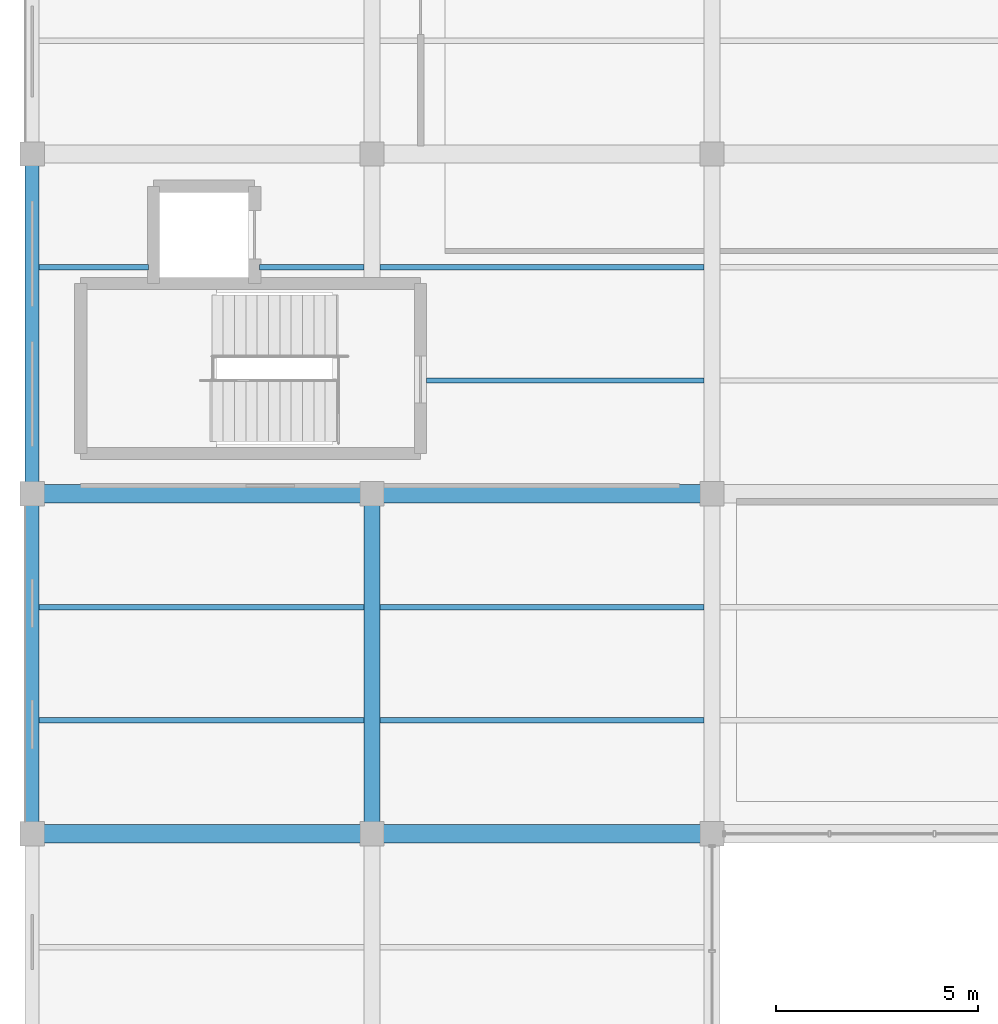
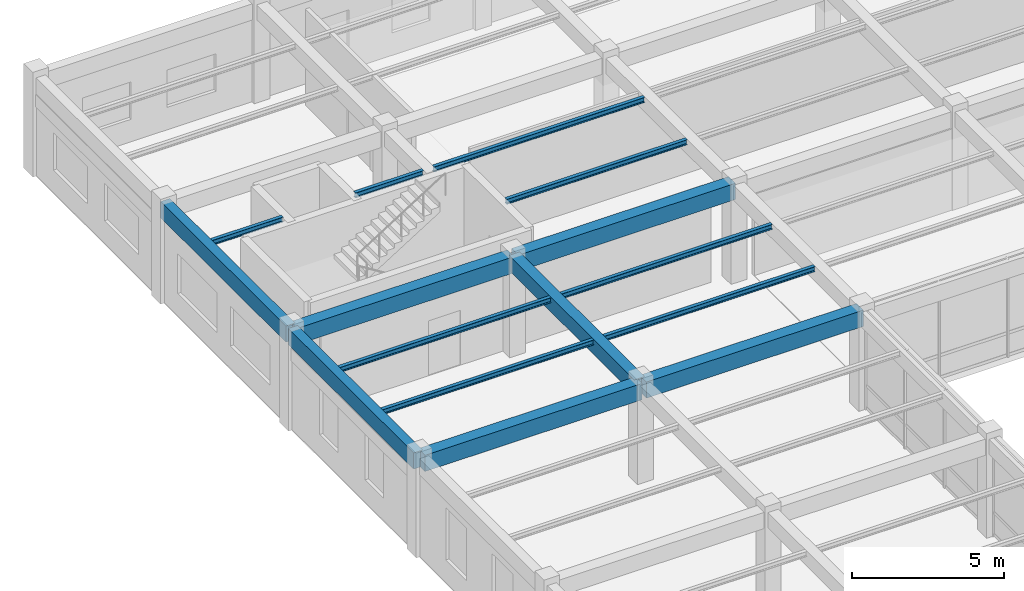
# One storey, part 9 of 114: 15 beams.
"""IFC4 building model written with IfcOpenShell, lengths in metres."""

import ifcopenshell
import ifcopenshell.guid

model = None  # the IFC model being written
_history = None  # IfcOwnerHistory: only IFC2X3 demands one
_inside = {}  # id of a spatial element -> (the spatial element, [elements in it])
_under = {}  # id of a project, library or spatial element -> (it, [spatial elements below it])
_declared = {}  # id of a project -> (the project, [libraries it declares])
_typed = {}  # id of a type object -> (the type object, [elements of that type])
_made_of = {}  # id of a material, layer set ... -> (it, [elements and type objects made of it])


def new_model(schema):
    """Start an empty IFC model of exactly this schema.

    Asked for "IFC4X3", IfcOpenShell would pick the latest addendum, in which some entities
    have other attributes; the version numbers below select the first issue.
    IFC2X3 requires an IfcOwnerHistory on every rooted entity: one is made here for all.
    """
    global model, _history
    if schema == "IFC4X3":
        model = ifcopenshell.file(schema_version=(4, 3, 0, 0))
    else:
        model = ifcopenshell.file(schema=schema)
    _inside.clear()
    _under.clear()
    _declared.clear()
    _typed.clear()
    _made_of.clear()
    _history = None
    if model.schema == "IFC2X3":
        org = make("IfcOrganization", Name="unknown")
        user = make(
            "IfcPersonAndOrganization",
            ThePerson=make("IfcPerson", FamilyName="unknown"),
            TheOrganization=org,
        )
        app = make(
            "IfcApplication",
            ApplicationDeveloper=org,
            Version="unknown",
            ApplicationFullName="unknown",
            ApplicationIdentifier="unknown",
        )
        _history = make(
            "IfcOwnerHistory",
            OwningUser=user,
            OwningApplication=app,
            ChangeAction="ADDED",
            CreationDate=0,
        )
    return model


def make(cls, **values):
    """One entity of the class cls with the attributes given. An attribute that is None is left unset."""
    return model.create_entity(
        cls, **{name: value for name, value in values.items() if value is not None}
    )


def rooted(cls, **values):
    """An entity with a GlobalId (a new one), such as an element, a storey or a relation."""
    return make(cls, GlobalId=ifcopenshell.guid.new(), OwnerHistory=_history, **values)


def si_unit(unit_type, name, prefix=None):
    """IfcSIUnit, for example si_unit("LENGTHUNIT", "METRE", prefix="MILLI")."""
    return make("IfcSIUnit", UnitType=unit_type, Prefix=prefix, Name=name)


def assignment(units):
    """IfcUnitAssignment: the units of a project."""
    return None if units is None else make("IfcUnitAssignment", Units=units)


def point(xyz):
    """IfcCartesianPoint."""
    return None if xyz is None else make("IfcCartesianPoint", Coordinates=xyz)


def direction(xyz):
    """IfcDirection."""
    return None if xyz is None else make("IfcDirection", DirectionRatios=xyz)


def frame(location, z_axis=None, x_axis=None):
    """IfcAxis2Placement3D, a coordinate frame: its origin and axes. An axis left out is left unset."""
    return make(
        "IfcAxis2Placement3D",
        Location=point(location),
        Axis=direction(z_axis),
        RefDirection=direction(x_axis),
    )


def frame_2d(location, x_axis=None):
    """IfcAxis2Placement2D, a coordinate frame in the plane: its origin and x axis."""
    return make(
        "IfcAxis2Placement2D", Location=point(location), RefDirection=direction(x_axis)
    )


def origin():
    """The frame at (0, 0, 0) with its axes left unset."""
    return frame((0.0, 0.0, 0.0))


def origin_2d():
    """The frame at (0, 0) in the plane with its x axis left unset."""
    return frame_2d((0.0, 0.0))


def place(relative_to, where):
    """IfcLocalPlacement: puts the frame where relative to a parent placement (None: the world)."""
    return make(
        "IfcLocalPlacement", PlacementRelTo=relative_to, RelativePlacement=where
    )


def context(
    kind, dimensions, precision=None, world=None, true_north=None, identifier=None
):
    """IfcGeometricRepresentationContext, for example the 3D "Model" context."""
    return make(
        "IfcGeometricRepresentationContext",
        ContextIdentifier=identifier,
        ContextType=kind,
        CoordinateSpaceDimension=dimensions,
        Precision=precision,
        WorldCoordinateSystem=world,
        TrueNorth=true_north,
    )


def subcontext(parent, identifier, kind, view, scale=None):
    """IfcGeometricRepresentationSubContext, for example "Body" below "Model"."""
    return make(
        "IfcGeometricRepresentationSubContext",
        ContextIdentifier=identifier,
        ContextType=kind,
        ParentContext=parent,
        TargetScale=scale,
        TargetView=view,
    )


def project(units=None, contexts=None):
    """IfcProject with its units and contexts."""
    return rooted(
        "IfcProject",
        Name="project",
        RepresentationContexts=contexts,
        UnitsInContext=assignment(units),
    )


def spatial(cls, under=None, at=None, **own):
    """A site, building, storey or space (cls), placed at a placement, below another one or the project."""
    s = rooted(cls, ObjectPlacement=at, **own)
    if under is not None:
        _under.setdefault(under.id(), (under, []))[1].append(s)
    return s


def profile(cls, at=None, kind="AREA", **sizes):
    """A parametric profile (cls). Its sizes go by their IFC names, for example OverallWidth=200.0."""
    return make(cls, ProfileType=kind, Position=at, **sizes)


def rectangle(**sizes):
    """IfcRectangleProfileDef."""
    return profile("IfcRectangleProfileDef", **sizes)


def i_section(**sizes):
    """IfcIShapeProfileDef."""
    return profile("IfcIShapeProfileDef", **sizes)


def extrude(swept, where, along, depth):
    """IfcExtrudedAreaSolid: the profile swept, set in the frame where, extruded along a direction by depth."""
    return make(
        "IfcExtrudedAreaSolid",
        SweptArea=swept,
        Position=where,
        ExtrudedDirection=direction(along),
        Depth=depth,
    )


def shape(context_of_items, identifier, shape_type, items):
    """IfcShapeRepresentation: the items that make up one representation, for example the "Body"."""
    return make(
        "IfcShapeRepresentation",
        ContextOfItems=context_of_items,
        RepresentationIdentifier=identifier,
        RepresentationType=shape_type,
        Items=items,
    )


def material(Name=None, Category=None):
    """IfcMaterial."""
    return make("IfcMaterial", Name=Name, Category=Category)


def material_profile(
    of_material, cross_section, Name=None, Category=None, Priority=None
):
    """IfcMaterialProfile: a cross section and its material."""
    return make(
        "IfcMaterialProfile",
        Name=Name,
        Material=of_material,
        Profile=cross_section,
        Priority=Priority,
        Category=Category,
    )


def profile_set(profiles, Name=None, composite=None):
    """IfcMaterialProfileSet."""
    return make(
        "IfcMaterialProfileSet",
        Name=Name,
        MaterialProfiles=profiles,
        CompositeProfile=composite,
    )


def made_of(thing, what):
    """Note that an element or type object is made of a material, layer set ...; save() writes the relation."""
    if what is not None:
        _made_of.setdefault(what.id(), (what, []))[1].append(thing)
    return thing


def type_object(cls, material=None, **own):
    """A type object (cls), such as IfcWallType, which elements share."""
    return made_of(rooted(cls, **own), material)


def element(
    cls,
    number,
    at=None,
    inside=None,
    cuts=None,
    type_object=None,
    material=None,
    context=None,
    identifier="Body",
    shape_type=None,
    held_by="IfcProductDefinitionShape",
    body=None,
    shapes=None,
    **own,
):
    """One element of the class cls, such as IfcWall. Its Tag is "e" and its number.

    at: its placement. inside: the storey or other place that contains it. cuts: it is an
    opening in that element (IfcRelVoidsElement). A single representation is given by context,
    identifier, shape_type and body (its items); several are given by shapes. held_by: the class
    of the entity that holds the representations. save() writes the other relations.
    """
    e = rooted(cls, Tag="e%d" % number, ObjectPlacement=at, **own)
    if body is not None:
        shapes = [shape(context, identifier, shape_type, body)]
    if shapes is not None:
        e.Representation = make(held_by, Representations=shapes)
    if inside is not None:
        _inside.setdefault(inside.id(), (inside, []))[1].append(e)
    if cuts is not None:
        rooted(
            "IfcRelVoidsElement", RelatingBuildingElement=cuts, RelatedOpeningElement=e
        )
    if type_object is not None:
        _typed.setdefault(type_object.id(), (type_object, []))[1].append(e)
    return made_of(e, material)


def aggregate(whole, parts):
    """IfcRelAggregates: a whole, such as a stair, and the parts it consists of."""
    return rooted("IfcRelAggregates", RelatingObject=whole, RelatedObjects=parts)


def save(model, path):
    """Write the relations noted so far, then the file.

    IfcRelAggregates (storeys below a building ...), IfcRelContainedInSpatialStructure (elements
    in a storey), IfcRelDefinesByType, IfcRelAssociatesMaterial and IfcRelDeclares: one each for
    every whole, place, type object, material and project.
    """
    for whole, parts in _under.values():
        aggregate(whole, parts)
    for where, things in _inside.values():
        rooted(
            "IfcRelContainedInSpatialStructure",
            RelatedElements=things,
            RelatingStructure=where,
        )
    for kind, things in _typed.values():
        rooted("IfcRelDefinesByType", RelatedObjects=things, RelatingType=kind)
    for what, things in _made_of.values():
        rooted("IfcRelAssociatesMaterial", RelatedObjects=things, RelatingMaterial=what)
    for by, libraries in _declared.values():
        rooted("IfcRelDeclares", RelatingContext=by, RelatedDefinitions=libraries)
    model.write(path)


model = new_model("IFC4")

# Units and contexts
model_context = context("Model", 3, precision=1e-05, world=origin(), true_north=direction((0.0, 1.0)))
body_context = subcontext(model_context, "Body", "Model", "MODEL_VIEW")
ifc_project = project(units=[si_unit("LENGTHUNIT", "METRE"), si_unit("AREAUNIT", "SQUARE_METRE"), si_unit("VOLUMEUNIT", "CUBIC_METRE"), si_unit("PLANEANGLEUNIT", "RADIAN"), si_unit("MASSUNIT", "GRAM", prefix="KILO"), si_unit("THERMODYNAMICTEMPERATUREUNIT", "KELVIN"), si_unit("POWERUNIT", "WATT")], contexts=[model_context])

# Site, building, storey
site_placement = place(None, origin())
site = spatial("IfcSite", under=ifc_project, at=site_placement, CompositionType="ELEMENT")
building_placement = place(site_placement, origin())
building = spatial("IfcBuilding", under=site, at=building_placement, Name="Darbajah Civic Hall", CompositionType="ELEMENT")
storey_placement = place(building_placement, frame((0.0, 0.0, 13.800048828125)))
storey = spatial("IfcBuildingStorey", under=building, at=storey_placement, Name="L03", CompositionType="ELEMENT", Elevation=13.800048828125)

# Beams
ifc_material_1 = material(Name="Concrete C45/55", Category="concrete")
ifc_material_profile_1 = material_profile(ifc_material_1, rectangle(XDim=0.39990234375, YDim=0.60009765625, at=origin_2d()), Name="RC BEAM 400x600")
ifc_profile_set_1 = profile_set([ifc_material_profile_1], Name="Concrete C45/55")
beam_type_1 = type_object("IfcBeamType", Name="RC BEAM 400x600", PredefinedType="BEAM", material=ifc_profile_set_1)
beam_1_placement = place(storey_placement, frame((8.39990234375, 16.8798828125, 3.639892578125), z_axis=(0.0, 1.0, 0.0), x_axis=(-1.0, 0.0, 0.0)))
element("IfcBeam", 1, at=beam_1_placement, inside=storey, type_object=beam_type_1, Name="L03 beam BM-4060", PredefinedType="BEAM", context=body_context, shape_type="SweptSolid", body=[
    extrude(rectangle(XDim=0.39990234375, YDim=0.60009765625, at=origin_2d()), origin(), (0.0, 0.0, 1.0), 8.240234375),
])
ifc_material_profile_2 = material_profile(ifc_material_1, rectangle(XDim=0.449951171875, YDim=0.64990234375, at=origin_2d()), Name="RC BEAM 450x650")
ifc_profile_set_2 = profile_set([ifc_material_profile_2], Name="Concrete C45/55")
beam_type_2 = type_object("IfcBeamType", Name="RC BEAM 450x650", PredefinedType="BEAM", material=ifc_profile_set_2)
for number, where, z_axis, x_axis, name in (
    (2, (0.080078125, 16.800048828125, 3.614990234375), (1.0, 0.0, 0.0), (0.0, 1.0, 0.0), "L03 beam BM-4565"),
    (3, (8.47998046875, 16.800048828125, 3.614990234375), (1.0, 0.0, 0.0), (0.0, 1.0, 0.0), "L03 beam BM-4565"),
    (4, (0.080078125, 25.199951171875, 3.614990234375), (1.0, 0.0, 0.0), (0.0, 1.0, 0.0), "L03 beam BM-4565"),
    (5, (8.47998046875, 25.199951171875, 3.614990234375), (1.0, 0.0, 0.0), (0.0, 1.0, 0.0), "L03 beam BM-4565"),
):
    element("IfcBeam", number, at=place(storey_placement, frame(where, z_axis=z_axis, x_axis=x_axis)), inside=storey, type_object=beam_type_2, Name=name, PredefinedType="BEAM", context=body_context, shape_type="SweptSolid", body=[
        extrude(rectangle(XDim=0.449951171875, YDim=0.64990234375, at=origin_2d()), origin(), (0.0, 0.0, 1.0), 8.239990234375),
    ])
ifc_material_profile_3 = material_profile(ifc_material_1, rectangle(XDim=0.35009765625, YDim=0.64990234375, at=origin_2d()), Name="RC SPANDREL 350x650")
ifc_profile_set_3 = profile_set([ifc_material_profile_3], Name="Concrete C45/55")
beam_type_3 = type_object("IfcBeamType", Name="RC SPANDREL 350x650", PredefinedType="SPANDREL", material=ifc_profile_set_3)
beam_2_placement = place(storey_placement, frame((0.0, 16.8798828125, 3.614990234375), z_axis=(0.0, 1.0, 0.0), x_axis=(-1.0, 0.0, 0.0)))
element("IfcBeam", 6, at=beam_2_placement, inside=storey, type_object=beam_type_3, Name="L03 beam SP-3565", PredefinedType="SPANDREL", context=body_context, shape_type="SweptSolid", body=[
    extrude(rectangle(XDim=0.35009765625, YDim=0.64990234375, at=origin_2d()), origin(), (0.0, 0.0, 1.0), 8.240234375),
])
beam_3_placement = place(storey_placement, frame((0.0, 25.280029296875, 3.614990234375), z_axis=(0.0, 1.0, 0.0), x_axis=(-1.0, 0.0, 0.0)))
element("IfcBeam", 7, at=beam_3_placement, inside=storey, type_object=beam_type_3, Name="L03 beam SP-3565", PredefinedType="SPANDREL", context=body_context, shape_type="SweptSolid", body=[
    extrude(rectangle(XDim=0.35009765625, YDim=0.64990234375, at=origin_2d()), origin(), (0.0, 0.0, 1.0), 8.239990234375),
])
ifc_material_2 = material(Name="Steel S355JR", Category="steel")
ifc_material_profile_4 = material_profile(ifc_material_2, i_section(OverallWidth=0.1337890625, OverallDepth=0.206787109375, WebThickness=0.00634765625, FlangeThickness=0.009521484375, FilletRadius=0.007568359375, at=origin_2d()), Name="UB 203x133x30")
ifc_profile_set_4 = profile_set([ifc_material_profile_4], Name="Steel S355JR")
beam_type_4 = type_object("IfcBeamType", Name="UB 203x133x30", PredefinedType="JOIST", material=ifc_profile_set_4)
for number, where, z_axis, x_axis, name in (
    (8, (0.175048828125, 19.60009765625, 3.836669921875), (1.0, 0.0, 0.0), (0.0, 1.0, 0.0), "L03 beam SJ-203"),
    (9, (0.175048828125, 22.39990234375, 3.836669921875), (1.0, 0.0, 0.0), (0.0, 1.0, 0.0), "L03 beam SJ-203"),
):
    element("IfcBeam", number, at=place(storey_placement, frame(where, z_axis=z_axis, x_axis=x_axis)), inside=storey, type_object=beam_type_4, Name=name, PredefinedType="JOIST", context=body_context, shape_type="SweptSolid", body=[
        extrude(i_section(OverallWidth=0.1337890625, OverallDepth=0.206787109375, WebThickness=0.00634765625, FlangeThickness=0.009521484375, FilletRadius=0.007568359375, at=origin_2d()), origin(), (0.0, 0.0, 1.0), 8.02490234375),
    ])
beam_4_placement = place(storey_placement, frame((0.175048828125, 30.800048828125, 3.836669921875), z_axis=(1.0, 0.0, 0.0), x_axis=(0.0, 1.0, 0.0)))
element("IfcBeam", 10, at=beam_4_placement, inside=storey, type_object=beam_type_4, Name="L03 beam SJ-203", PredefinedType="JOIST", context=body_context, shape_type="SweptSolid", body=[
    extrude(i_section(OverallWidth=0.1337890625, OverallDepth=0.206787109375, WebThickness=0.00634765625, FlangeThickness=0.009521484375, FilletRadius=0.007568359375, at=origin_2d()), origin(), (0.0, 0.0, 1.0), 2.704833984375),
])
beam_5_placement = place(storey_placement, frame((5.6201171875, 30.800048828125, 3.836669921875), z_axis=(1.0, 0.0, 0.0), x_axis=(0.0, 1.0, 0.0)))
element("IfcBeam", 11, at=beam_5_placement, inside=storey, type_object=beam_type_4, Name="L03 beam SJ-203", PredefinedType="JOIST", context=body_context, shape_type="SweptSolid", body=[
    extrude(i_section(OverallWidth=0.1337890625, OverallDepth=0.206787109375, WebThickness=0.00634765625, FlangeThickness=0.009521484375, FilletRadius=0.007568359375, at=origin_2d()), origin(), (0.0, 0.0, 1.0), 2.579833984375),
])
for number, where, z_axis, x_axis, name in (
    (12, (8.60009765625, 19.60009765625, 3.836669921875), (1.0, 0.0, 0.0), (0.0, 1.0, 0.0), "L03 beam SJ-203"),
    (13, (8.60009765625, 22.39990234375, 3.836669921875), (1.0, 0.0, 0.0), (0.0, 1.0, 0.0), "L03 beam SJ-203"),
):
    element("IfcBeam", number, at=place(storey_placement, frame(where, z_axis=z_axis, x_axis=x_axis)), inside=storey, type_object=beam_type_4, Name=name, PredefinedType="JOIST", context=body_context, shape_type="SweptSolid", body=[
        extrude(i_section(OverallWidth=0.1337890625, OverallDepth=0.206787109375, WebThickness=0.00634765625, FlangeThickness=0.009521484375, FilletRadius=0.007568359375, at=origin_2d()), origin(), (0.0, 0.0, 1.0), 8.0),
    ])
beam_6_placement = place(storey_placement, frame((9.739990234375, 28.0, 3.836669921875), z_axis=(1.0, 0.0, 0.0), x_axis=(0.0, 1.0, 0.0)))
element("IfcBeam", 14, at=beam_6_placement, inside=storey, type_object=beam_type_4, Name="L03 beam SJ-203", PredefinedType="JOIST", context=body_context, shape_type="SweptSolid", body=[
    extrude(i_section(OverallWidth=0.1337890625, OverallDepth=0.206787109375, WebThickness=0.00634765625, FlangeThickness=0.009521484375, FilletRadius=0.007568359375, at=origin_2d()), origin(), (0.0, 0.0, 1.0), 6.860107421875),
])
beam_7_placement = place(storey_placement, frame((8.60009765625, 30.800048828125, 3.836669921875), z_axis=(1.0, 0.0, 0.0), x_axis=(0.0, 1.0, 0.0)))
element("IfcBeam", 15, at=beam_7_placement, inside=storey, type_object=beam_type_4, Name="L03 beam SJ-203", PredefinedType="JOIST", context=body_context, shape_type="SweptSolid", body=[
    extrude(i_section(OverallWidth=0.1337890625, OverallDepth=0.206787109375, WebThickness=0.00634765625, FlangeThickness=0.009521484375, FilletRadius=0.007568359375, at=origin_2d()), origin(), (0.0, 0.0, 1.0), 8.0),
])

save(model, "model.ifc")
